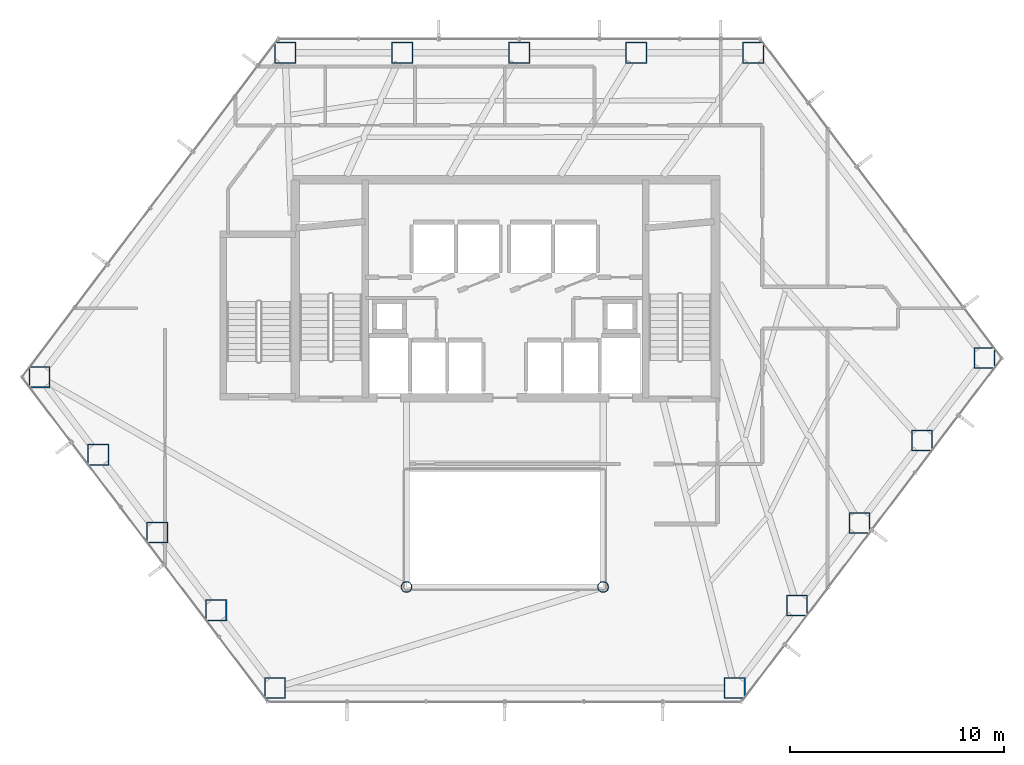
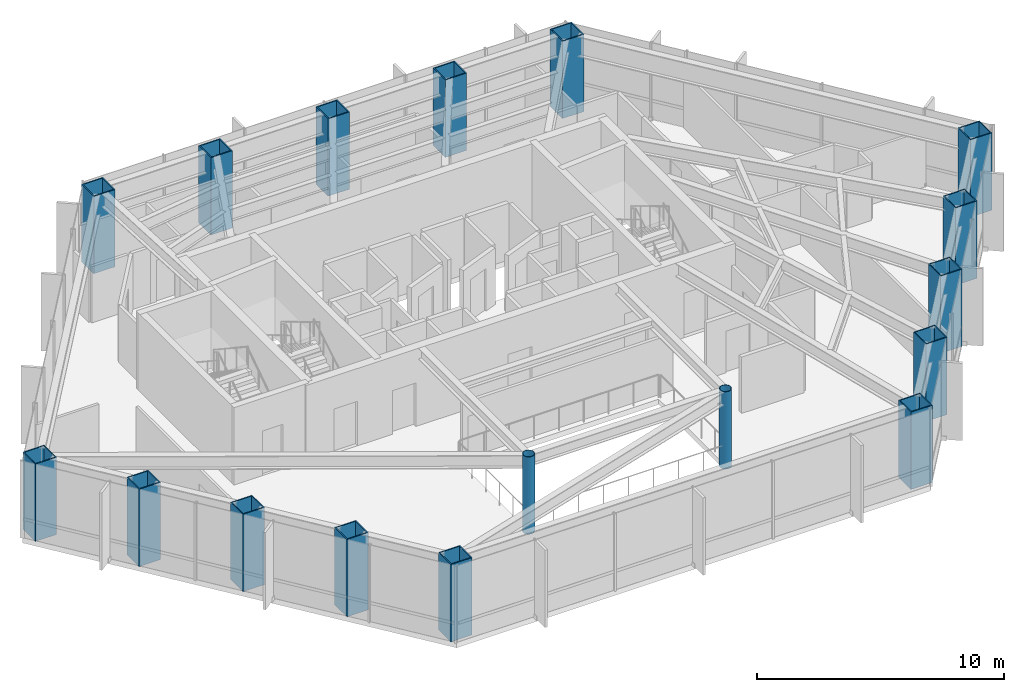
# One storey, part 1 of 25: 17 columns.
"""IFC4 building model written with IfcOpenShell, lengths in metres."""

from ifc_helpers import new_model, si_unit, direction, frame, origin, origin_2d, place, context, subcontext, project, spatial, hollow_rectangle, hollow_circle, extrude, material, material_profile, profile_set, type_object, element, save


model = new_model("IFC4")

# Units and contexts
model_context = context("Model", 3, precision=1e-05, world=origin(), true_north=direction((0.0, 1.0)))
body_context = subcontext(model_context, "Body", "Model", "MODEL_VIEW")
ifc_project = project(units=[si_unit("LENGTHUNIT", "METRE"), si_unit("AREAUNIT", "SQUARE_METRE"), si_unit("VOLUMEUNIT", "CUBIC_METRE"), si_unit("PLANEANGLEUNIT", "RADIAN"), si_unit("MASSUNIT", "GRAM", prefix="KILO")], contexts=[model_context])

# Site, building, storey
site_placement = place(None, origin())
site = spatial("IfcSite", under=ifc_project, at=site_placement, CompositionType="ELEMENT")
building_placement = place(site_placement, origin())
building = spatial("IfcBuilding", under=site, at=building_placement, Name="Zarrinselat Tower", CompositionType="ELEMENT")
storey_placement = place(building_placement, frame((0.0, 0.0, 39.780029296875)))
storey = spatial("IfcBuildingStorey", under=building, at=storey_placement, Name="L09", CompositionType="ELEMENT", Elevation=39.780029296875)

# Columns
ifc_material_1 = material(Name="Steel S355J2", Category="steel")
ifc_material_profile_1 = material_profile(ifc_material_1, hollow_circle(Radius=0.25390625, WallThickness=0.02001953125, at=origin_2d()), Name="CHS 508x20")
ifc_profile_set_1 = profile_set([ifc_material_profile_1], Name="Steel S355J2")
column_type_1 = type_object("IfcColumnType", Name="COL-CHS508", PredefinedType="COLUMN", material=ifc_profile_set_1)
for number, where, z_axis, x_axis, name in (
    (1, (33.800048828125, 24.39990234375, 0.0), (0.0, 0.0, 1.0), (1.0, 0.0, 0.0), "L09 Atrium Corner Column 1"),
    (2, (43.0, 24.39990234375, 0.0), (0.0, 0.0, 1.0), (1.0, 0.0, 0.0), "L09 Atrium Corner Column 2"),
):
    element("IfcColumn", number, at=place(storey_placement, frame(where, z_axis=z_axis, x_axis=x_axis)), inside=storey, type_object=column_type_1, Name=name, PredefinedType="COLUMN", context=body_context, shape_type="SweptSolid", body=[
        extrude(hollow_circle(Radius=0.25390625, WallThickness=0.02001953125, at=origin_2d()), origin(), (0.0, 0.0, 1.0), 3.820068359375),
    ])
ifc_material_2 = material(Name="Steel S460M", Category="steel")
ifc_material_profile_2 = material_profile(ifc_material_2, hollow_rectangle(XDim=1.0, YDim=1.0, WallThickness=0.050048828125, at=origin_2d()), Name="SHS 1000x1000x50")
ifc_profile_set_2 = profile_set([ifc_material_profile_2], Name="Steel S460M")
column_type_2 = type_object("IfcColumnType", Name="COL-SHS1000", PredefinedType="COLUMN", material=ifc_profile_set_2)
for number, where, z_axis, x_axis, name in (
    (3, (50.0263671875, 49.394287109375, 0.0), (0.0, 0.0, 1.0), (1.0, 0.0, 0.0), "L09 Framed-Tube Column T01"),
    (4, (44.55029296875, 49.394287109375, 0.0), (0.0, 0.0, 1.0), (1.0, 0.0, 0.0), "L09 Framed-Tube Column T02"),
    (5, (39.07421875, 49.394287109375, 0.0), (0.0, 0.0, 1.0), (1.0, 0.0, 0.0), "L09 Framed-Tube Column T03"),
    (6, (33.59814453125, 49.394287109375, 0.0), (0.0, 0.0, 1.0), (1.0, 0.0, 0.0), "L09 Framed-Tube Column T04"),
    (7, (28.1220703125, 49.394287109375, 0.0), (0.0, 0.0, 1.0), (1.0, 0.0, 0.0), "L09 Framed-Tube Column T05"),
    (8, (16.627197265625, 34.220947265625, 0.0), (0.0, 0.0, 1.0), (1.0, 0.0, 0.0), "L09 Framed-Tube Column T06"),
    (9, (19.382568359375, 30.583984375, 0.0), (0.0, 0.0, 1.0), (1.0, 0.0, 0.0), "L09 Framed-Tube Column T07"),
    (10, (22.1376953125, 26.947021484375, 0.0), (0.0, 0.0, 1.0), (1.0, 0.0, 0.0), "L09 Framed-Tube Column T08"),
    (11, (24.89306640625, 23.309814453125, 0.0), (0.0, 0.0, 1.0), (1.0, 0.0, 0.0), "L09 Framed-Tube Column T09"),
    (12, (27.6484375, 19.6728515625, 0.0), (0.0, 0.0, 1.0), (1.0, 0.0, 0.0), "L09 Framed-Tube Column T10"),
    (13, (49.151611328125, 19.6728515625, 0.0), (0.0, 0.0, 1.0), (1.0, 0.0, 0.0), "L09 Framed-Tube Column T11"),
    (14, (52.075439453125, 23.532470703125, 0.0), (0.0, 0.0, 1.0), (1.0, 0.0, 0.0), "L09 Framed-Tube Column T12"),
    (15, (54.999267578125, 27.391845703125, 0.0), (0.0, 0.0, 1.0), (1.0, 0.0, 0.0), "L09 Framed-Tube Column T13"),
    (16, (57.923095703125, 31.25146484375, 0.0), (0.0, 0.0, 1.0), (1.0, 0.0, 0.0), "L09 Framed-Tube Column T14"),
    (17, (60.84716796875, 35.111083984375, 0.0), (0.0, 0.0, 1.0), (1.0, 0.0, 0.0), "L09 Framed-Tube Column T15"),
):
    element("IfcColumn", number, at=place(storey_placement, frame(where, z_axis=z_axis, x_axis=x_axis)), inside=storey, type_object=column_type_2, Name=name, PredefinedType="COLUMN", context=body_context, shape_type="SweptSolid", body=[
        extrude(hollow_rectangle(XDim=1.0, YDim=1.0, WallThickness=0.050048828125, at=origin_2d()), origin(), (0.0, 0.0, 1.0), 3.820068359375),
    ])

save(model, "model.ifc")
